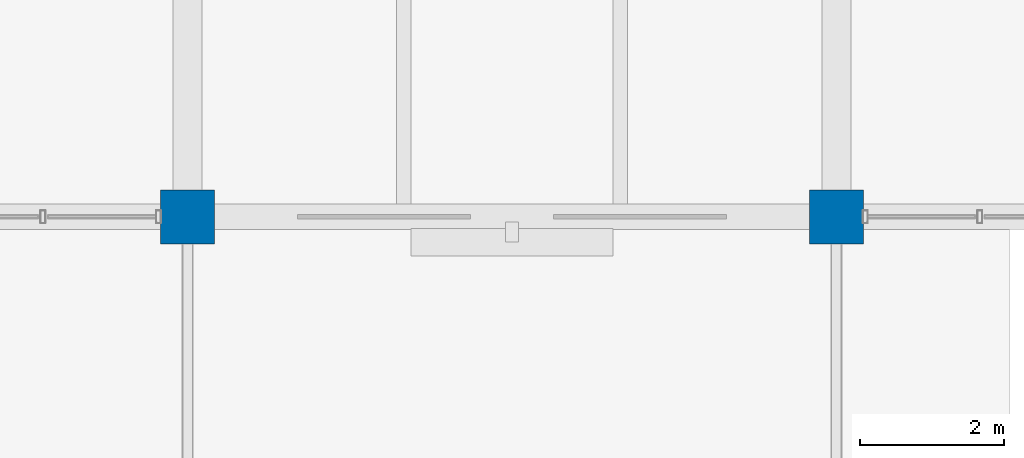
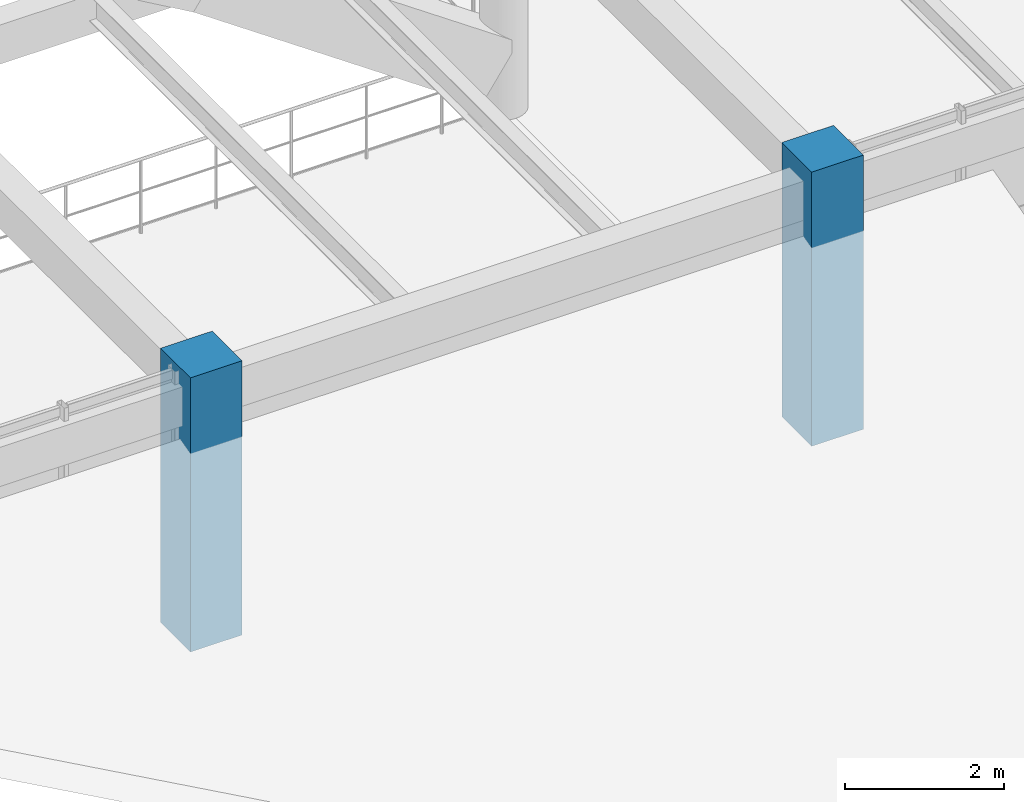
# One storey, part 2 of 148: 2 columns.
"""IFC4 building model written with IfcOpenShell, lengths in metres."""

from ifc_helpers import new_model, si_unit, derived_unit, direction, frame, origin, origin_2d, place, context, subcontext, project, spatial, rectangle, extrude, material, material_profile, profile_set, type_object, element, save


model = new_model("IFC4")

# Units and contexts
model_context = context("Model", 3, precision=1e-05, world=origin(), true_north=direction((0.0, 1.0)))
body_context = subcontext(model_context, "Body", "Model", "MODEL_VIEW")
ifc_project = project(units=[si_unit("LENGTHUNIT", "METRE"), si_unit("AREAUNIT", "SQUARE_METRE"), si_unit("VOLUMEUNIT", "CUBIC_METRE"), si_unit("PLANEANGLEUNIT", "RADIAN"), si_unit("MASSUNIT", "GRAM", prefix="KILO"), derived_unit("THERMALTRANSMITTANCEUNIT", [(si_unit("MASSUNIT", "GRAM", prefix="KILO"), 1), (si_unit("TIMEUNIT", "SECOND"), -3), (si_unit("THERMODYNAMICTEMPERATUREUNIT", "KELVIN"), -1)])], contexts=[model_context])

# Site, building, storey
site_placement = place(None, origin())
site = spatial("IfcSite", under=ifc_project, at=site_placement, CompositionType="ELEMENT")
building_placement = place(site_placement, origin())
building = spatial("IfcBuilding", under=site, at=building_placement, Name="Zhenchuan Archway Interchange", CompositionType="ELEMENT")
storey_placement = place(building_placement, frame((0.0, 0.0, 10.199951171875)))
storey = spatial("IfcBuildingStorey", under=building, at=storey_placement, Name="L02", CompositionType="ELEMENT", Elevation=10.199951171875)

# Columns
ifc_material = material(Name="Concrete C40", Category="concrete")
ifc_material_profile = material_profile(ifc_material, rectangle(XDim=0.75, YDim=0.75, at=origin_2d()), Name="RC 750x750")
ifc_profile_set = profile_set([ifc_material_profile], Name="Concrete C40")
column_type = type_object("IfcColumnType", Name="COL_RC_750", PredefinedType="COLUMN", material=ifc_profile_set)
for number, where, z_axis, x_axis, name in (
    (1, (54.0, 24.0, 0.0), (0.0, 0.0, 1.0), (1.0, 0.0, 0.0), "Column 7/D (L02)"),
    (2, (63.0, 24.0, 0.0), (0.0, 0.0, 1.0), (1.0, 0.0, 0.0), "Column 8/D (L02)"),
):
    element("IfcColumn", number, at=place(storey_placement, frame(where, z_axis=z_axis, x_axis=x_axis)), inside=storey, type_object=column_type, Name=name, PredefinedType="COLUMN", context=body_context, shape_type="SweptSolid", body=[
        extrude(rectangle(XDim=0.75, YDim=0.75, at=origin_2d()), origin(), (0.0, 0.0, 1.0), 4.199951171875),
    ])

save(model, "model.ifc")
